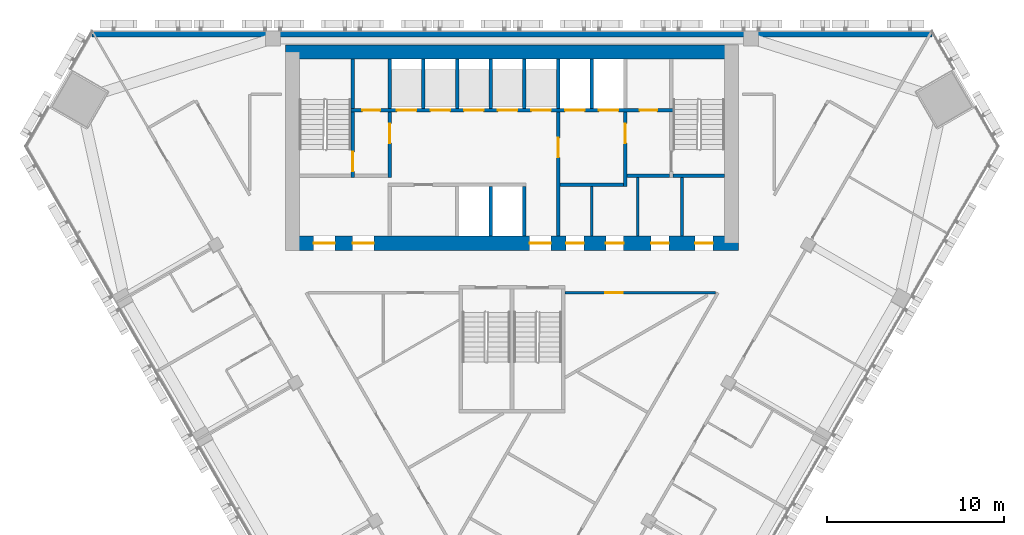
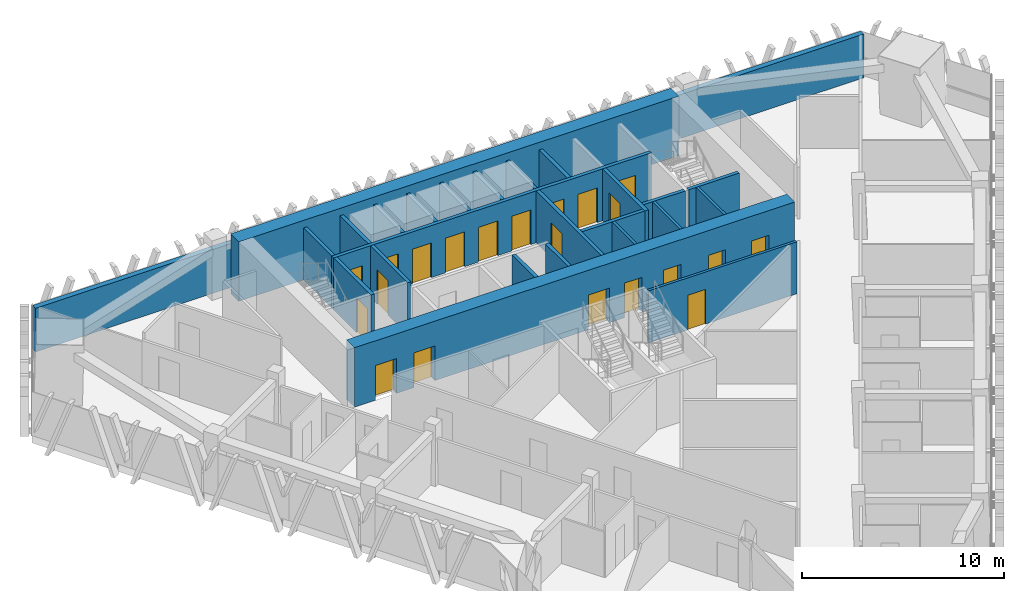
# One storey, part 11 of 15: 25 walls, 21 doors, 21 openings.
"""IFC4 building model written with IfcOpenShell, lengths in metres."""

import ifcopenshell
import ifcopenshell.guid

model = None  # the IFC model being written
_history = None  # IfcOwnerHistory: only IFC2X3 demands one
_inside = {}  # id of a spatial element -> (the spatial element, [elements in it])
_under = {}  # id of a project, library or spatial element -> (it, [spatial elements below it])
_declared = {}  # id of a project -> (the project, [libraries it declares])
_typed = {}  # id of a type object -> (the type object, [elements of that type])
_made_of = {}  # id of a material, layer set ... -> (it, [elements and type objects made of it])


def new_model(schema):
    """Start an empty IFC model of exactly this schema.

    Asked for "IFC4X3", IfcOpenShell would pick the latest addendum, in which some entities
    have other attributes; the version numbers below select the first issue.
    IFC2X3 requires an IfcOwnerHistory on every rooted entity: one is made here for all.
    """
    global model, _history
    if schema == "IFC4X3":
        model = ifcopenshell.file(schema_version=(4, 3, 0, 0))
    else:
        model = ifcopenshell.file(schema=schema)
    _inside.clear()
    _under.clear()
    _declared.clear()
    _typed.clear()
    _made_of.clear()
    _history = None
    if model.schema == "IFC2X3":
        org = make("IfcOrganization", Name="unknown")
        user = make(
            "IfcPersonAndOrganization",
            ThePerson=make("IfcPerson", FamilyName="unknown"),
            TheOrganization=org,
        )
        app = make(
            "IfcApplication",
            ApplicationDeveloper=org,
            Version="unknown",
            ApplicationFullName="unknown",
            ApplicationIdentifier="unknown",
        )
        _history = make(
            "IfcOwnerHistory",
            OwningUser=user,
            OwningApplication=app,
            ChangeAction="ADDED",
            CreationDate=0,
        )
    return model


def make(cls, **values):
    """One entity of the class cls with the attributes given. An attribute that is None is left unset."""
    return model.create_entity(
        cls, **{name: value for name, value in values.items() if value is not None}
    )


def rooted(cls, **values):
    """An entity with a GlobalId (a new one), such as an element, a storey or a relation."""
    return make(cls, GlobalId=ifcopenshell.guid.new(), OwnerHistory=_history, **values)


def si_unit(unit_type, name, prefix=None):
    """IfcSIUnit, for example si_unit("LENGTHUNIT", "METRE", prefix="MILLI")."""
    return make("IfcSIUnit", UnitType=unit_type, Prefix=prefix, Name=name)


def assignment(units):
    """IfcUnitAssignment: the units of a project."""
    return None if units is None else make("IfcUnitAssignment", Units=units)


def point(xyz):
    """IfcCartesianPoint."""
    return None if xyz is None else make("IfcCartesianPoint", Coordinates=xyz)


def direction(xyz):
    """IfcDirection."""
    return None if xyz is None else make("IfcDirection", DirectionRatios=xyz)


def frame(location, z_axis=None, x_axis=None):
    """IfcAxis2Placement3D, a coordinate frame: its origin and axes. An axis left out is left unset."""
    return make(
        "IfcAxis2Placement3D",
        Location=point(location),
        Axis=direction(z_axis),
        RefDirection=direction(x_axis),
    )


def frame_2d(location, x_axis=None):
    """IfcAxis2Placement2D, a coordinate frame in the plane: its origin and x axis."""
    return make(
        "IfcAxis2Placement2D", Location=point(location), RefDirection=direction(x_axis)
    )


def origin():
    """The frame at (0, 0, 0) with its axes left unset."""
    return frame((0.0, 0.0, 0.0))


def place(relative_to, where):
    """IfcLocalPlacement: puts the frame where relative to a parent placement (None: the world)."""
    return make(
        "IfcLocalPlacement", PlacementRelTo=relative_to, RelativePlacement=where
    )


def context(
    kind, dimensions, precision=None, world=None, true_north=None, identifier=None
):
    """IfcGeometricRepresentationContext, for example the 3D "Model" context."""
    return make(
        "IfcGeometricRepresentationContext",
        ContextIdentifier=identifier,
        ContextType=kind,
        CoordinateSpaceDimension=dimensions,
        Precision=precision,
        WorldCoordinateSystem=world,
        TrueNorth=true_north,
    )


def subcontext(parent, identifier, kind, view, scale=None):
    """IfcGeometricRepresentationSubContext, for example "Body" below "Model"."""
    return make(
        "IfcGeometricRepresentationSubContext",
        ContextIdentifier=identifier,
        ContextType=kind,
        ParentContext=parent,
        TargetScale=scale,
        TargetView=view,
    )


def project(units=None, contexts=None):
    """IfcProject with its units and contexts."""
    return rooted(
        "IfcProject",
        Name="project",
        RepresentationContexts=contexts,
        UnitsInContext=assignment(units),
    )


def spatial(cls, under=None, at=None, **own):
    """A site, building, storey or space (cls), placed at a placement, below another one or the project."""
    s = rooted(cls, ObjectPlacement=at, **own)
    if under is not None:
        _under.setdefault(under.id(), (under, []))[1].append(s)
    return s


def profile(cls, at=None, kind="AREA", **sizes):
    """A parametric profile (cls). Its sizes go by their IFC names, for example OverallWidth=200.0."""
    return make(cls, ProfileType=kind, Position=at, **sizes)


def rectangle(**sizes):
    """IfcRectangleProfileDef."""
    return profile("IfcRectangleProfileDef", **sizes)


def extrude(swept, where, along, depth):
    """IfcExtrudedAreaSolid: the profile swept, set in the frame where, extruded along a direction by depth."""
    return make(
        "IfcExtrudedAreaSolid",
        SweptArea=swept,
        Position=where,
        ExtrudedDirection=direction(along),
        Depth=depth,
    )


def shape(context_of_items, identifier, shape_type, items):
    """IfcShapeRepresentation: the items that make up one representation, for example the "Body"."""
    return make(
        "IfcShapeRepresentation",
        ContextOfItems=context_of_items,
        RepresentationIdentifier=identifier,
        RepresentationType=shape_type,
        Items=items,
    )


def material(Name=None, Category=None):
    """IfcMaterial."""
    return make("IfcMaterial", Name=Name, Category=Category)


def layer(
    of_material, thickness, ventilated=None, Name=None, Category=None, Priority=None
):
    """IfcMaterialLayer: one layer of a wall or slab, of a material (None: an air gap)."""
    return make(
        "IfcMaterialLayer",
        Material=of_material,
        LayerThickness=thickness,
        IsVentilated=ventilated,
        Name=Name,
        Category=Category,
        Priority=Priority,
    )


def layer_set(layers, Name=None):
    """IfcMaterialLayerSet."""
    return make("IfcMaterialLayerSet", MaterialLayers=layers, LayerSetName=Name)


def made_of(thing, what):
    """Note that an element or type object is made of a material, layer set ...; save() writes the relation."""
    if what is not None:
        _made_of.setdefault(what.id(), (what, []))[1].append(thing)
    return thing


def type_object(cls, material=None, **own):
    """A type object (cls), such as IfcWallType, which elements share."""
    return made_of(rooted(cls, **own), material)


def element(
    cls,
    number,
    at=None,
    inside=None,
    cuts=None,
    type_object=None,
    material=None,
    context=None,
    identifier="Body",
    shape_type=None,
    held_by="IfcProductDefinitionShape",
    body=None,
    shapes=None,
    **own,
):
    """One element of the class cls, such as IfcWall. Its Tag is "e" and its number.

    at: its placement. inside: the storey or other place that contains it. cuts: it is an
    opening in that element (IfcRelVoidsElement). A single representation is given by context,
    identifier, shape_type and body (its items); several are given by shapes. held_by: the class
    of the entity that holds the representations. save() writes the other relations.
    """
    e = rooted(cls, Tag="e%d" % number, ObjectPlacement=at, **own)
    if body is not None:
        shapes = [shape(context, identifier, shape_type, body)]
    if shapes is not None:
        e.Representation = make(held_by, Representations=shapes)
    if inside is not None:
        _inside.setdefault(inside.id(), (inside, []))[1].append(e)
    if cuts is not None:
        rooted(
            "IfcRelVoidsElement", RelatingBuildingElement=cuts, RelatedOpeningElement=e
        )
    if type_object is not None:
        _typed.setdefault(type_object.id(), (type_object, []))[1].append(e)
    return made_of(e, material)


def fill(opening, filler):
    """IfcRelFillsElement: the door or window that sits in an opening."""
    return rooted(
        "IfcRelFillsElement",
        RelatingOpeningElement=opening,
        RelatedBuildingElement=filler,
    )


def aggregate(whole, parts):
    """IfcRelAggregates: a whole, such as a stair, and the parts it consists of."""
    return rooted("IfcRelAggregates", RelatingObject=whole, RelatedObjects=parts)


def save(model, path):
    """Write the relations noted so far, then the file.

    IfcRelAggregates (storeys below a building ...), IfcRelContainedInSpatialStructure (elements
    in a storey), IfcRelDefinesByType, IfcRelAssociatesMaterial and IfcRelDeclares: one each for
    every whole, place, type object, material and project.
    """
    for whole, parts in _under.values():
        aggregate(whole, parts)
    for where, things in _inside.values():
        rooted(
            "IfcRelContainedInSpatialStructure",
            RelatedElements=things,
            RelatingStructure=where,
        )
    for kind, things in _typed.values():
        rooted("IfcRelDefinesByType", RelatedObjects=things, RelatingType=kind)
    for what, things in _made_of.values():
        rooted("IfcRelAssociatesMaterial", RelatedObjects=things, RelatingMaterial=what)
    for by, libraries in _declared.values():
        rooted("IfcRelDeclares", RelatingContext=by, RelatedDefinitions=libraries)
    model.write(path)


model = new_model("IFC4")

# Units and contexts
model_context = context("Model", 3, precision=1e-05, world=origin(), true_north=direction((0.0, 1.0)))
body_context = subcontext(model_context, "Body", "Model", "MODEL_VIEW")
ifc_project = project(units=[si_unit("LENGTHUNIT", "METRE"), si_unit("AREAUNIT", "SQUARE_METRE"), si_unit("VOLUMEUNIT", "CUBIC_METRE"), si_unit("PLANEANGLEUNIT", "RADIAN"), si_unit("MASSUNIT", "GRAM", prefix="KILO")], contexts=[model_context])

# Site, building, storey
site_placement = place(None, origin())
site = spatial("IfcSite", under=ifc_project, at=site_placement, CompositionType="ELEMENT")
building_placement = place(site_placement, origin())
building = spatial("IfcBuilding", under=site, at=building_placement, Name="Altiplano Prism Tower", CompositionType="ELEMENT")
storey_placement = place(building_placement, frame((0.0, 0.0, 142.199951171875)))
storey = spatial("IfcBuildingStorey", under=building, at=storey_placement, Name="L36", CompositionType="ELEMENT", Elevation=142.199951171875)

# Wall, openings, doors
ifc_material_1 = material(Name="Concrete C60/75", Category="concrete")
ifc_layer_1 = layer(ifc_material_1, 0.800048828125)
ifc_layer_set_1 = layer_set([ifc_layer_1], Name="Concrete C60/75")
wall_type_1 = type_object("IfcWallType", Name="Core wall 800", PredefinedType="SHEAR", material=ifc_layer_set_1)
wall_1_placement = place(storey_placement, frame((72.60009765625, 93.0, 0.0), z_axis=(0.0, 0.0, 1.0), x_axis=(1.0, 0.0, 0.0)))
wall_1 = element("IfcWall", 1, at=wall_1_placement, inside=storey, type_object=wall_type_1, Name="Core wall S L36", PredefinedType="SHEAR", context=body_context, shape_type="SweptSolid", body=[
    extrude(rectangle(XDim=25.199951171875, YDim=0.800048828125, at=frame_2d((12.60009765625, 0.0))), origin(), (0.0, 0.0, 1.0), 3.60009765625),
])
opening_1_placement = place(wall_1_placement, frame((1.199951171875, 0.0, 0.0)))
opening_1 = element("IfcOpeningElement", 2, at=opening_1_placement, cuts=wall_1, Name="Opening D3072", PredefinedType="OPENING", context=body_context, shape_type="SweptSolid", body=[
    extrude(rectangle(XDim=1.199951171875, YDim=2.10009765625, at=frame_2d((0.60009765625, 1.050048828125))), frame((0.0, 0.41064453125, 0.0), z_axis=(0.0, -1.0, 0.0), x_axis=(1.0, 0.0, 0.0)), (0.0, 0.0, 1.0), 0.821044921875),
])
opening_2_placement = place(wall_1_placement, frame((3.39990234375, 0.0, 0.0)))
opening_2 = element("IfcOpeningElement", 3, at=opening_2_placement, cuts=wall_1, Name="Opening D3073", PredefinedType="OPENING", context=body_context, shape_type="SweptSolid", body=[
    extrude(rectangle(XDim=1.199951171875, YDim=2.10009765625, at=frame_2d((0.60009765625, 1.050048828125))), frame((0.0, 0.41064453125, 0.0), z_axis=(0.0, -1.0, 0.0), x_axis=(1.0, 0.0, 0.0)), (0.0, 0.0, 1.0), 0.821044921875),
])
opening_3_placement = place(wall_1_placement, frame((13.39990234375, 0.0, 0.0)))
opening_3 = element("IfcOpeningElement", 4, at=opening_3_placement, cuts=wall_1, Name="Opening D3074", PredefinedType="OPENING", context=body_context, shape_type="SweptSolid", body=[
    extrude(rectangle(XDim=1.199951171875, YDim=2.10009765625, at=frame_2d((0.60009765625, 1.050048828125))), frame((0.0, 0.41064453125, 0.0), z_axis=(0.0, -1.0, 0.0), x_axis=(1.0, 0.0, 0.0)), (0.0, 0.0, 1.0), 0.821044921875),
])
opening_4_placement = place(wall_1_placement, frame((15.46240234375, 0.0, 0.0)))
opening_4 = element("IfcOpeningElement", 5, at=opening_4_placement, cuts=wall_1, Name="Opening D3077", PredefinedType="OPENING", context=body_context, shape_type="SweptSolid", body=[
    extrude(rectangle(XDim=1.0, YDim=2.10009765625, at=frame_2d((0.5, 1.050048828125))), frame((0.0, 0.41064453125, 0.0), z_axis=(0.0, -1.0, 0.0), x_axis=(1.0, 0.0, 0.0)), (0.0, 0.0, 1.0), 0.821044921875),
])
opening_5_placement = place(wall_1_placement, frame((17.699951171875, 0.0, 0.0)))
opening_5 = element("IfcOpeningElement", 6, at=opening_5_placement, cuts=wall_1, Name="Opening D3078", PredefinedType="OPENING", context=body_context, shape_type="SweptSolid", body=[
    extrude(rectangle(XDim=1.0, YDim=2.10009765625, at=frame_2d((0.5, 1.050048828125))), frame((0.0, 0.41064453125, 0.0), z_axis=(0.0, -1.0, 0.0), x_axis=(1.0, 0.0, 0.0)), (0.0, 0.0, 1.0), 0.821044921875),
])
opening_6_placement = place(wall_1_placement, frame((20.25, 0.0, 0.0)))
opening_6 = element("IfcOpeningElement", 7, at=opening_6_placement, cuts=wall_1, Name="Opening D3079", PredefinedType="OPENING", context=body_context, shape_type="SweptSolid", body=[
    extrude(rectangle(XDim=1.0, YDim=2.10009765625, at=frame_2d((0.5, 1.050048828125))), frame((0.0, 0.41064453125, 0.0), z_axis=(0.0, -1.0, 0.0), x_axis=(1.0, 0.0, 0.0)), (0.0, 0.0, 1.0), 0.821044921875),
])
opening_7_placement = place(wall_1_placement, frame((22.737548828125, 0.0, 0.0)))
opening_7 = element("IfcOpeningElement", 8, at=opening_7_placement, cuts=wall_1, Name="Opening D3080", PredefinedType="OPENING", context=body_context, shape_type="SweptSolid", body=[
    extrude(rectangle(XDim=1.0, YDim=2.10009765625, at=frame_2d((0.5, 1.050048828125))), frame((0.0, 0.41064453125, 0.0), z_axis=(0.0, -1.0, 0.0), x_axis=(1.0, 0.0, 0.0)), (0.0, 0.0, 1.0), 0.821044921875),
])
ifc_material_2 = material(Name="Fire-rated steel door", Category="steel")
door_type_1 = type_object("IfcDoorType", Name="Core room door 1000 x 2100", OperationType="NOTDEFINED", PredefinedType="NOTDEFINED", material=ifc_material_2)
door_1_placement = place(opening_4_placement, origin())
door_1 = element("IfcDoor", 9, at=door_1_placement, inside=storey, type_object=door_type_1, Name="Core room door D3077", OperationType="SINGLE_SWING_RIGHT", OverallHeight=2.10009765625, OverallWidth=1.0, PredefinedType="NOTDEFINED", context=body_context, shape_type="SweptSolid", body=[
    extrude(rectangle(XDim=1.0, YDim=2.10009765625, at=frame_2d((0.5, 1.050048828125))), frame((0.0, 0.02490234375, 0.0), z_axis=(0.0, -1.0, 0.0), x_axis=(1.0, 0.0, 0.0)), (0.0, 0.0, 1.0), 0.050048828125),
])
fill(opening_4, door_1)
door_2_placement = place(opening_5_placement, origin())
door_2 = element("IfcDoor", 10, at=door_2_placement, inside=storey, type_object=door_type_1, Name="Core room door D3078", OperationType="SINGLE_SWING_LEFT", OverallHeight=2.10009765625, OverallWidth=1.0, PredefinedType="NOTDEFINED", context=body_context, shape_type="SweptSolid", body=[
    extrude(rectangle(XDim=1.0, YDim=2.10009765625, at=frame_2d((0.5, 1.050048828125))), frame((0.0, 0.02490234375, 0.0), z_axis=(0.0, -1.0, 0.0), x_axis=(1.0, 0.0, 0.0)), (0.0, 0.0, 1.0), 0.050048828125),
])
fill(opening_5, door_2)
door_3_placement = place(opening_6_placement, origin())
door_3 = element("IfcDoor", 11, at=door_3_placement, inside=storey, type_object=door_type_1, Name="Core room door D3079", OperationType="SINGLE_SWING_RIGHT", OverallHeight=2.10009765625, OverallWidth=1.0, PredefinedType="NOTDEFINED", context=body_context, shape_type="SweptSolid", body=[
    extrude(rectangle(XDim=1.0, YDim=2.10009765625, at=frame_2d((0.5, 1.050048828125))), frame((0.0, 0.02490234375, 0.0), z_axis=(0.0, -1.0, 0.0), x_axis=(1.0, 0.0, 0.0)), (0.0, 0.0, 1.0), 0.050048828125),
])
fill(opening_6, door_3)
door_4_placement = place(opening_7_placement, origin())
door_4 = element("IfcDoor", 12, at=door_4_placement, inside=storey, type_object=door_type_1, Name="Core room door D3080", OperationType="SINGLE_SWING_LEFT", OverallHeight=2.10009765625, OverallWidth=1.0, PredefinedType="NOTDEFINED", context=body_context, shape_type="SweptSolid", body=[
    extrude(rectangle(XDim=1.0, YDim=2.10009765625, at=frame_2d((0.5, 1.050048828125))), frame((0.0, 0.02490234375, 0.0), z_axis=(0.0, -1.0, 0.0), x_axis=(1.0, 0.0, 0.0)), (0.0, 0.0, 1.0), 0.050048828125),
])
fill(opening_7, door_4)
door_type_2 = type_object("IfcDoorType", Name="Lobby fire door 1200 x 2100", OperationType="NOTDEFINED", PredefinedType="NOTDEFINED", material=ifc_material_2)
door_5_placement = place(opening_1_placement, origin())
door_5 = element("IfcDoor", 13, at=door_5_placement, inside=storey, type_object=door_type_2, Name="Lobby fire door D3072", OperationType="SINGLE_SWING_RIGHT", OverallHeight=2.10009765625, OverallWidth=1.199951171875, PredefinedType="NOTDEFINED", context=body_context, shape_type="SweptSolid", body=[
    extrude(rectangle(XDim=1.199951171875, YDim=2.10009765625, at=frame_2d((0.60009765625, 1.050048828125))), frame((0.0, 0.02490234375, 0.0), z_axis=(0.0, -1.0, 0.0), x_axis=(1.0, 0.0, 0.0)), (0.0, 0.0, 1.0), 0.050048828125),
])
fill(opening_1, door_5)
door_6_placement = place(opening_2_placement, origin())
door_6 = element("IfcDoor", 14, at=door_6_placement, inside=storey, type_object=door_type_2, Name="Lobby fire door D3073", OperationType="SINGLE_SWING_LEFT", OverallHeight=2.10009765625, OverallWidth=1.199951171875, PredefinedType="NOTDEFINED", context=body_context, shape_type="SweptSolid", body=[
    extrude(rectangle(XDim=1.199951171875, YDim=2.10009765625, at=frame_2d((0.60009765625, 1.050048828125))), frame((0.0, 0.02490234375, 0.0), z_axis=(0.0, -1.0, 0.0), x_axis=(1.0, 0.0, 0.0)), (0.0, 0.0, 1.0), 0.050048828125),
])
fill(opening_2, door_6)
door_7_placement = place(opening_3_placement, origin())
door_7 = element("IfcDoor", 15, at=door_7_placement, inside=storey, type_object=door_type_2, Name="Lobby fire door D3074", OperationType="SINGLE_SWING_RIGHT", OverallHeight=2.10009765625, OverallWidth=1.199951171875, PredefinedType="NOTDEFINED", context=body_context, shape_type="SweptSolid", body=[
    extrude(rectangle(XDim=1.199951171875, YDim=2.10009765625, at=frame_2d((0.60009765625, 1.050048828125))), frame((0.0, 0.02490234375, 0.0), z_axis=(0.0, -1.0, 0.0), x_axis=(1.0, 0.0, 0.0)), (0.0, 0.0, 1.0), 0.050048828125),
])
fill(opening_3, door_7)

# Wall
wall_2_placement = place(storey_placement, frame((97.39990234375, 103.800048828125, 0.0), z_axis=(0.0, 0.0, 1.0), x_axis=(-1.0, 0.0, 0.0)))
element("IfcWall", 16, at=wall_2_placement, inside=storey, type_object=wall_type_1, Name="Core wall N L36", PredefinedType="SHEAR", context=body_context, shape_type="SweptSolid", body=[
    extrude(rectangle(XDim=25.199951171875, YDim=0.800048828125, at=frame_2d((12.60009765625, 0.0))), origin(), (0.0, 0.0, 1.0), 3.60009765625),
])

# Wall, opening, door
ifc_material_3 = material(Name="Plasterboard on steel stud", Category="steel")
ifc_layer_2 = layer(ifc_material_3, 0.14990234375)
ifc_layer_set_2 = layer_set([ifc_layer_2], Name="Plasterboard on steel stud")
wall_type_2 = type_object("IfcWallType", Name="Partition 150 corridor", PredefinedType="PARTITIONING", material=ifc_layer_set_2)
wall_3_placement = place(storey_placement, frame((88.0, 90.198974609375, 0.0), z_axis=(0.0, 0.0, 1.0), x_axis=(1.0, 0.0, 0.0)))
wall_3 = element("IfcWall", 17, at=wall_3_placement, inside=storey, type_object=wall_type_2, Name="Partition P06 L36 003", PredefinedType="PARTITIONING", context=body_context, shape_type="SweptSolid", body=[
    extrude(rectangle(XDim=8.4921875, YDim=0.14990234375, at=frame_2d((4.24609375, 0.0))), origin(), (0.0, 0.0, 1.0), 3.150146484375),
])
opening_8_placement = place(wall_3_placement, frame((2.261962890625, 0.0, 0.0)))
opening_8 = element("IfcOpeningElement", 18, at=opening_8_placement, cuts=wall_3, Name="Opening D1299", PredefinedType="OPENING", context=body_context, shape_type="SweptSolid", body=[
    extrude(rectangle(XDim=1.0, YDim=2.10009765625, at=frame_2d((0.5, 1.050048828125))), frame((0.0, 0.08544921875, 0.0), z_axis=(0.0, -1.0, 0.0), x_axis=(1.0, 0.0, 0.0)), (0.0, 0.0, 1.0), 0.1708984375),
])
ifc_material_4 = material(Name="Timber", Category="wood")
door_type_3 = type_object("IfcDoorType", Name="Store door 1000 x 2100", OperationType="NOTDEFINED", PredefinedType="NOTDEFINED", material=ifc_material_4)
door_8_placement = place(opening_8_placement, origin())
door_8 = element("IfcDoor", 19, at=door_8_placement, inside=storey, type_object=door_type_3, Name="Door D1299", OperationType="SINGLE_SWING_LEFT", OverallHeight=2.10009765625, OverallWidth=1.0, PredefinedType="NOTDEFINED", context=body_context, shape_type="SweptSolid", body=[
    extrude(rectangle(XDim=1.0, YDim=2.10009765625, at=frame_2d((0.5, 1.050048828125))), frame((0.0, 0.02490234375, 0.0), z_axis=(0.0, -1.0, 0.0), x_axis=(1.0, 0.0, 0.0)), (0.0, 0.0, 1.0), 0.050048828125),
])
fill(opening_8, door_8)

# Walls
ifc_material_5 = material(Name="Fire-rated gypsum board partition")
ifc_layer_3 = layer(ifc_material_5, 0.14990234375)
ifc_layer_set_3 = layer_set([ifc_layer_3], Name="Fire-rated gypsum board partition")
wall_type_3 = type_object("IfcWallType", Name="Room partition 150", PredefinedType="PARTITIONING", material=ifc_layer_set_3)
wall_4_placement = place(storey_placement, frame((89.5, 93.39990234375, 0.0), z_axis=(0.0, 0.0, 1.0), x_axis=(0.0, 1.0, 0.0)))
element("IfcWall", 20, at=wall_4_placement, inside=storey, type_object=wall_type_3, Name="Room partition L36", PredefinedType="PARTITIONING", context=body_context, shape_type="SweptSolid", body=[
    extrude(rectangle(XDim=2.800048828125, YDim=0.14990234375, at=frame_2d((1.39990234375, 0.0))), origin(), (0.0, 0.0, 1.0), 3.150146484375),
])
for number, where, z_axis, x_axis, name in (
    (21, (92.10009765625, 93.39990234375, 0.0), (0.0, 0.0, 1.0), (0.0, 1.0, 0.0), "Room partition L36"),
    (22, (94.60009765625, 93.39990234375, 0.0), (0.0, 0.0, 1.0), (0.0, 1.0, 0.0), "Room partition L36"),
):
    element("IfcWall", number, at=place(storey_placement, frame(where, z_axis=z_axis, x_axis=x_axis)), inside=storey, type_object=wall_type_3, Name=name, PredefinedType="PARTITIONING", context=body_context, shape_type="SweptSolid", body=[
        extrude(rectangle(XDim=3.300048828125, YDim=0.14990234375, at=frame_2d((1.64990234375, 0.0))), origin(), (0.0, 0.0, 1.0), 3.150146484375),
    ])
ifc_layer_4 = layer(ifc_material_1, 0.199951171875)
ifc_layer_set_4 = layer_set([ifc_layer_4], Name="Concrete C60/75")
wall_type_4 = type_object("IfcWallType", Name="Shaft wall 200", PredefinedType="SOLIDWALL", material=ifc_layer_set_4)
for number, where, z_axis, x_axis, name in (
    (23, (83.800048828125, 93.39990234375, 0.0), (0.0, 0.0, 1.0), (0.0, 1.0, 0.0), "Shaft wall L36"),
    (24, (85.699951171875, 93.39990234375, 0.0), (0.0, 0.0, 1.0), (0.0, 1.0, 0.0), "Shaft wall L36"),
):
    element("IfcWall", number, at=place(storey_placement, frame(where, z_axis=z_axis, x_axis=x_axis)), inside=storey, type_object=wall_type_4, Name=name, PredefinedType="SOLIDWALL", context=body_context, shape_type="SweptSolid", body=[
        extrude(rectangle(XDim=2.800048828125, YDim=0.199951171875, at=frame_2d((1.39990234375, 0.0))), origin(), (0.0, 0.0, 1.0), 3.150146484375),
    ])
for number, where, z_axis, x_axis, name in (
    (25, (78.10009765625, 100.60009765625, 0.0), (0.0, 0.0, 1.0), (0.0, 1.0, 0.0), "Shaft wall L36"),
    (26, (80.0, 100.60009765625, 0.0), (0.0, 0.0, 1.0), (0.0, 1.0, 0.0), "Shaft wall L36"),
    (27, (81.89990234375, 100.60009765625, 0.0), (0.0, 0.0, 1.0), (0.0, 1.0, 0.0), "Shaft wall L36"),
    (28, (83.800048828125, 100.60009765625, 0.0), (0.0, 0.0, 1.0), (0.0, 1.0, 0.0), "Shaft wall L36"),
    (29, (85.699951171875, 100.60009765625, 0.0), (0.0, 0.0, 1.0), (0.0, 1.0, 0.0), "Shaft wall L36"),
    (30, (87.60009765625, 100.60009765625, 0.0), (0.0, 0.0, 1.0), (0.0, 1.0, 0.0), "Shaft wall L36"),
    (31, (89.5, 100.60009765625, 0.0), (0.0, 0.0, 1.0), (0.0, 1.0, 0.0), "Shaft wall L36"),
):
    element("IfcWall", number, at=place(storey_placement, frame(where, z_axis=z_axis, x_axis=x_axis)), inside=storey, type_object=wall_type_4, Name=name, PredefinedType="SOLIDWALL", context=body_context, shape_type="SweptSolid", body=[
        extrude(rectangle(XDim=2.7998046875, YDim=0.199951171875, at=frame_2d((1.39990234375, 0.0))), origin(), (0.0, 0.0, 1.0), 3.150146484375),
    ])

# Wall, opening, door
ifc_layer_5 = layer(ifc_material_1, 0.199951171875)
ifc_layer_set_5 = layer_set([ifc_layer_5], Name="Concrete C60/75")
wall_type_5 = type_object("IfcWallType", Name="Stair wall 200", PredefinedType="SOLIDWALL", material=ifc_layer_set_5)
wall_5_placement = place(storey_placement, frame((76.0, 96.699951171875, 0.0), z_axis=(0.0, 0.0, 1.0), x_axis=(0.0, 1.0, 0.0)))
wall_5 = element("IfcWall", 32, at=wall_5_placement, inside=storey, type_object=wall_type_5, Name="Stair wall L36", PredefinedType="SOLIDWALL", context=body_context, shape_type="SweptSolid", body=[
    extrude(rectangle(XDim=3.699951171875, YDim=0.199951171875, at=frame_2d((1.85009765625, 0.0))), origin(), (0.0, 0.0, 1.0), 3.150146484375),
])
opening_9_placement = place(wall_5_placement, frame((0.35009765625, 0.0, 0.0)))
opening_9 = element("IfcOpeningElement", 33, at=opening_9_placement, cuts=wall_5, Name="Opening D3067", PredefinedType="OPENING", context=body_context, shape_type="SweptSolid", body=[
    extrude(rectangle(XDim=1.10009765625, YDim=2.10009765625, at=frame_2d((0.550048828125, 1.050048828125))), frame((0.0, 0.1103515625, 0.0), z_axis=(0.0, -1.0, 0.0), x_axis=(1.0, 0.0, 0.0)), (0.0, 0.0, 1.0), 0.220947265625),
])
door_type_4 = type_object("IfcDoorType", Name="Stair fire door 1100 x 2100", OperationType="NOTDEFINED", PredefinedType="NOTDEFINED", material=ifc_material_2)
door_9_placement = place(opening_9_placement, origin())
door_9 = element("IfcDoor", 34, at=door_9_placement, inside=storey, type_object=door_type_4, Name="Stair fire door D3067", OperationType="SINGLE_SWING_RIGHT", OverallHeight=2.10009765625, OverallWidth=1.10009765625, PredefinedType="NOTDEFINED", context=body_context, shape_type="SweptSolid", body=[
    extrude(rectangle(XDim=1.10009765625, YDim=2.10009765625, at=frame_2d((0.550048828125, 1.050048828125))), frame((0.0, 0.02490234375, 0.0), z_axis=(0.0, -1.0, 0.0), x_axis=(1.0, 0.0, 0.0)), (0.0, 0.0, 1.0), 0.050048828125),
])
fill(opening_9, door_9)

# Wall
wall_6_placement = place(storey_placement, frame((94.10009765625, 96.800048828125, 0.0), z_axis=(0.0, 0.0, 1.0), x_axis=(1.0, 0.0, 0.0)))
element("IfcWall", 35, at=wall_6_placement, inside=storey, type_object=wall_type_5, Name="Stair wall L36", PredefinedType="SOLIDWALL", context=body_context, shape_type="SweptSolid", body=[
    extrude(rectangle(XDim=2.89990234375, YDim=0.199951171875, at=frame_2d((1.449951171875, 0.0))), origin(), (0.0, 0.0, 1.0), 3.150146484375),
])

# Wall, openings, doors
wall_7_placement = place(storey_placement, frame((75.89990234375, 100.5, 0.0), z_axis=(0.0, 0.0, 1.0), x_axis=(1.0, 0.0, 0.0)))
wall_7 = element("IfcWall", 36, at=wall_7_placement, inside=storey, type_object=wall_type_5, Name="Stair wall L36", PredefinedType="SOLIDWALL", context=body_context, shape_type="SweptSolid", body=[
    extrude(rectangle(XDim=18.2001953125, YDim=0.199951171875, at=frame_2d((9.10009765625, 0.0))), origin(), (0.0, 0.0, 1.0), 3.150146484375),
])
opening_10_placement = place(wall_7_placement, frame((2.60009765625, 0.0, 0.0)))
opening_10 = element("IfcOpeningElement", 37, at=opening_10_placement, cuts=wall_7, Name="Opening LD-ML1-L36", PredefinedType="OPENING", context=body_context, shape_type="SweptSolid", body=[
    extrude(rectangle(XDim=1.10009765625, YDim=2.10009765625, at=frame_2d((0.550048828125, 1.050048828125))), frame((0.0, 0.1103515625, 0.0), z_axis=(0.0, -1.0, 0.0), x_axis=(1.0, 0.0, 0.0)), (0.0, 0.0, 1.0), 0.220947265625),
])
opening_11_placement = place(wall_7_placement, frame((4.5, 0.0, 0.0)))
opening_11 = element("IfcOpeningElement", 38, at=opening_11_placement, cuts=wall_7, Name="Opening LD-ML2-L36", PredefinedType="OPENING", context=body_context, shape_type="SweptSolid", body=[
    extrude(rectangle(XDim=1.10009765625, YDim=2.10009765625, at=frame_2d((0.550048828125, 1.050048828125))), frame((0.0, 0.1103515625, 0.0), z_axis=(0.0, -1.0, 0.0), x_axis=(1.0, 0.0, 0.0)), (0.0, 0.0, 1.0), 0.220947265625),
])
opening_12_placement = place(wall_7_placement, frame((6.39990234375, 0.0, 0.0)))
opening_12 = element("IfcOpeningElement", 39, at=opening_12_placement, cuts=wall_7, Name="Opening LD-ML3-L36", PredefinedType="OPENING", context=body_context, shape_type="SweptSolid", body=[
    extrude(rectangle(XDim=1.10009765625, YDim=2.10009765625, at=frame_2d((0.550048828125, 1.050048828125))), frame((0.0, 0.1103515625, 0.0), z_axis=(0.0, -1.0, 0.0), x_axis=(1.0, 0.0, 0.0)), (0.0, 0.0, 1.0), 0.220947265625),
])
opening_13_placement = place(wall_7_placement, frame((8.300048828125, 0.0, 0.0)))
opening_13 = element("IfcOpeningElement", 40, at=opening_13_placement, cuts=wall_7, Name="Opening LD-ML4-L36", PredefinedType="OPENING", context=body_context, shape_type="SweptSolid", body=[
    extrude(rectangle(XDim=1.10009765625, YDim=2.10009765625, at=frame_2d((0.550048828125, 1.050048828125))), frame((0.0, 0.1103515625, 0.0), z_axis=(0.0, -1.0, 0.0), x_axis=(1.0, 0.0, 0.0)), (0.0, 0.0, 1.0), 0.220947265625),
])
opening_14_placement = place(wall_7_placement, frame((10.199951171875, 0.0, 0.0)))
opening_14 = element("IfcOpeningElement", 41, at=opening_14_placement, cuts=wall_7, Name="Opening LD-ML5-L36", PredefinedType="OPENING", context=body_context, shape_type="SweptSolid", body=[
    extrude(rectangle(XDim=1.10009765625, YDim=2.10009765625, at=frame_2d((0.550048828125, 1.050048828125))), frame((0.0, 0.1103515625, 0.0), z_axis=(0.0, -1.0, 0.0), x_axis=(1.0, 0.0, 0.0)), (0.0, 0.0, 1.0), 0.220947265625),
])
opening_15_placement = place(wall_7_placement, frame((12.10009765625, 0.0, 0.0)))
opening_15 = element("IfcOpeningElement", 42, at=opening_15_placement, cuts=wall_7, Name="Opening LD-FF1-L36", PredefinedType="OPENING", context=body_context, shape_type="SweptSolid", body=[
    extrude(rectangle(XDim=1.10009765625, YDim=2.10009765625, at=frame_2d((0.550048828125, 1.050048828125))), frame((0.0, 0.1103515625, 0.0), z_axis=(0.0, -1.0, 0.0), x_axis=(1.0, 0.0, 0.0)), (0.0, 0.0, 1.0), 0.220947265625),
])
opening_16_placement = place(wall_7_placement, frame((14.0, 0.0, 0.0)))
opening_16 = element("IfcOpeningElement", 43, at=opening_16_placement, cuts=wall_7, Name="Opening LD-FF2-L36", PredefinedType="OPENING", context=body_context, shape_type="SweptSolid", body=[
    extrude(rectangle(XDim=1.10009765625, YDim=2.10009765625, at=frame_2d((0.550048828125, 1.050048828125))), frame((0.0, 0.1103515625, 0.0), z_axis=(0.0, -1.0, 0.0), x_axis=(1.0, 0.0, 0.0)), (0.0, 0.0, 1.0), 0.220947265625),
])
opening_17_placement = place(wall_7_placement, frame((0.64990234375, 0.0, 0.0)))
opening_17 = element("IfcOpeningElement", 44, at=opening_17_placement, cuts=wall_7, Name="Opening D3075", PredefinedType="OPENING", context=body_context, shape_type="SweptSolid", body=[
    extrude(rectangle(XDim=1.0, YDim=2.10009765625, at=frame_2d((0.5, 1.050048828125))), frame((0.0, 0.1103515625, 0.0), z_axis=(0.0, -1.0, 0.0), x_axis=(1.0, 0.0, 0.0)), (0.0, 0.0, 1.0), 0.220947265625),
])
opening_18_placement = place(wall_7_placement, frame((16.300048828125, 0.0, 0.0)))
opening_18 = element("IfcOpeningElement", 45, at=opening_18_placement, cuts=wall_7, Name="Opening D3076", PredefinedType="OPENING", context=body_context, shape_type="SweptSolid", body=[
    extrude(rectangle(XDim=1.0, YDim=2.10009765625, at=frame_2d((0.5, 1.050048828125))), frame((0.0, 0.1103515625, 0.0), z_axis=(0.0, -1.0, 0.0), x_axis=(1.0, 0.0, 0.0)), (0.0, 0.0, 1.0), 0.220947265625),
])
door_10_placement = place(opening_17_placement, origin())
door_10 = element("IfcDoor", 46, at=door_10_placement, inside=storey, type_object=door_type_1, Name="Core room door D3075", OperationType="SINGLE_SWING_LEFT", OverallHeight=2.10009765625, OverallWidth=1.0, PredefinedType="NOTDEFINED", context=body_context, shape_type="SweptSolid", body=[
    extrude(rectangle(XDim=1.0, YDim=2.10009765625, at=frame_2d((0.5, 1.050048828125))), frame((0.0, 0.02490234375, 0.0), z_axis=(0.0, -1.0, 0.0), x_axis=(1.0, 0.0, 0.0)), (0.0, 0.0, 1.0), 0.050048828125),
])
fill(opening_17, door_10)
door_11_placement = place(opening_18_placement, origin())
door_11 = element("IfcDoor", 47, at=door_11_placement, inside=storey, type_object=door_type_1, Name="Core room door D3076", OperationType="SINGLE_SWING_RIGHT", OverallHeight=2.10009765625, OverallWidth=1.0, PredefinedType="NOTDEFINED", context=body_context, shape_type="SweptSolid", body=[
    extrude(rectangle(XDim=1.0, YDim=2.10009765625, at=frame_2d((0.5, 1.050048828125))), frame((0.0, 0.02490234375, 0.0), z_axis=(0.0, -1.0, 0.0), x_axis=(1.0, 0.0, 0.0)), (0.0, 0.0, 1.0), 0.050048828125),
])
fill(opening_18, door_11)
ifc_material_6 = material(Name="Stainless steel landing door", Category="steel")
door_type_5 = type_object("IfcDoorType", Name="Landing door 1100 x 2100", OperationType="NOTDEFINED", PredefinedType="NOTDEFINED", material=ifc_material_6)
door_12_placement = place(opening_10_placement, origin())
door_12 = element("IfcDoor", 48, at=door_12_placement, inside=storey, type_object=door_type_5, Name="Landing doors ML1", OperationType="SLIDING_TO_RIGHT", OverallHeight=2.10009765625, OverallWidth=1.10009765625, PredefinedType="NOTDEFINED", context=body_context, shape_type="SweptSolid", body=[
    extrude(rectangle(XDim=1.10009765625, YDim=2.10009765625, at=frame_2d((0.550048828125, 1.050048828125))), frame((0.0, 0.02490234375, 0.0), z_axis=(0.0, -1.0, 0.0), x_axis=(1.0, 0.0, 0.0)), (0.0, 0.0, 1.0), 0.050048828125),
])
fill(opening_10, door_12)
door_13_placement = place(opening_11_placement, origin())
door_13 = element("IfcDoor", 49, at=door_13_placement, inside=storey, type_object=door_type_5, Name="Landing doors ML2", OperationType="SLIDING_TO_LEFT", OverallHeight=2.10009765625, OverallWidth=1.10009765625, PredefinedType="NOTDEFINED", context=body_context, shape_type="SweptSolid", body=[
    extrude(rectangle(XDim=1.10009765625, YDim=2.10009765625, at=frame_2d((0.550048828125, 1.050048828125))), frame((0.0, 0.02490234375, 0.0), z_axis=(0.0, -1.0, 0.0), x_axis=(1.0, 0.0, 0.0)), (0.0, 0.0, 1.0), 0.050048828125),
])
fill(opening_11, door_13)
door_14_placement = place(opening_12_placement, origin())
door_14 = element("IfcDoor", 50, at=door_14_placement, inside=storey, type_object=door_type_5, Name="Landing doors ML3", OperationType="SLIDING_TO_RIGHT", OverallHeight=2.10009765625, OverallWidth=1.10009765625, PredefinedType="NOTDEFINED", context=body_context, shape_type="SweptSolid", body=[
    extrude(rectangle(XDim=1.10009765625, YDim=2.10009765625, at=frame_2d((0.550048828125, 1.050048828125))), frame((0.0, 0.02490234375, 0.0), z_axis=(0.0, -1.0, 0.0), x_axis=(1.0, 0.0, 0.0)), (0.0, 0.0, 1.0), 0.050048828125),
])
fill(opening_12, door_14)
door_15_placement = place(opening_13_placement, origin())
door_15 = element("IfcDoor", 51, at=door_15_placement, inside=storey, type_object=door_type_5, Name="Landing doors ML4", OperationType="SLIDING_TO_LEFT", OverallHeight=2.10009765625, OverallWidth=1.10009765625, PredefinedType="NOTDEFINED", context=body_context, shape_type="SweptSolid", body=[
    extrude(rectangle(XDim=1.10009765625, YDim=2.10009765625, at=frame_2d((0.550048828125, 1.050048828125))), frame((0.0, 0.02490234375, 0.0), z_axis=(0.0, -1.0, 0.0), x_axis=(1.0, 0.0, 0.0)), (0.0, 0.0, 1.0), 0.050048828125),
])
fill(opening_13, door_15)
door_16_placement = place(opening_14_placement, origin())
door_16 = element("IfcDoor", 52, at=door_16_placement, inside=storey, type_object=door_type_5, Name="Landing doors ML5", OperationType="SLIDING_TO_RIGHT", OverallHeight=2.10009765625, OverallWidth=1.10009765625, PredefinedType="NOTDEFINED", context=body_context, shape_type="SweptSolid", body=[
    extrude(rectangle(XDim=1.10009765625, YDim=2.10009765625, at=frame_2d((0.550048828125, 1.050048828125))), frame((0.0, 0.02490234375, 0.0), z_axis=(0.0, -1.0, 0.0), x_axis=(1.0, 0.0, 0.0)), (0.0, 0.0, 1.0), 0.050048828125),
])
fill(opening_14, door_16)
door_17_placement = place(opening_15_placement, origin())
door_17 = element("IfcDoor", 53, at=door_17_placement, inside=storey, type_object=door_type_5, Name="Landing doors FF1", OperationType="SLIDING_TO_RIGHT", OverallHeight=2.10009765625, OverallWidth=1.10009765625, PredefinedType="NOTDEFINED", context=body_context, shape_type="SweptSolid", body=[
    extrude(rectangle(XDim=1.10009765625, YDim=2.10009765625, at=frame_2d((0.550048828125, 1.050048828125))), frame((0.0, 0.02490234375, 0.0), z_axis=(0.0, -1.0, 0.0), x_axis=(1.0, 0.0, 0.0)), (0.0, 0.0, 1.0), 0.050048828125),
])
fill(opening_15, door_17)
door_18_placement = place(opening_16_placement, origin())
door_18 = element("IfcDoor", 54, at=door_18_placement, inside=storey, type_object=door_type_5, Name="Landing doors FF2", OperationType="SLIDING_TO_LEFT", OverallHeight=2.10009765625, OverallWidth=1.10009765625, PredefinedType="NOTDEFINED", context=body_context, shape_type="SweptSolid", body=[
    extrude(rectangle(XDim=1.10009765625, YDim=2.10009765625, at=frame_2d((0.550048828125, 1.050048828125))), frame((0.0, 0.02490234375, 0.0), z_axis=(0.0, -1.0, 0.0), x_axis=(1.0, 0.0, 0.0)), (0.0, 0.0, 1.0), 0.050048828125),
])
fill(opening_16, door_18)

# Walls
wall_8_placement = place(storey_placement, frame((76.0, 100.60009765625, 0.0), z_axis=(0.0, 0.0, 1.0), x_axis=(0.0, 1.0, 0.0)))
element("IfcWall", 55, at=wall_8_placement, inside=storey, type_object=wall_type_5, Name="Stair wall L36", PredefinedType="SOLIDWALL", context=body_context, shape_type="SweptSolid", body=[
    extrude(rectangle(XDim=2.7998046875, YDim=0.199951171875, at=frame_2d((1.39990234375, 0.0))), origin(), (0.0, 0.0, 1.0), 3.150146484375),
])
ifc_material_7 = material(Name="Concrete C40", Category="concrete")
ifc_layer_6 = layer(ifc_material_7, 0.300048828125)
ifc_layer_set_6 = layer_set([ifc_layer_6], Name="Concrete C40")
wall_type_6 = type_object("IfcWallType", Name="Stone-clad external wall 300", PredefinedType="SOLIDWALL", material=ifc_layer_set_6)
wall_9_placement = place(storey_placement, frame((61.283203125, 104.7900390625, 0.0), z_axis=(0.0, 0.0, 1.0), x_axis=(1.0, 0.0, 0.0)))
element("IfcWall", 56, at=wall_9_placement, inside=storey, type_object=wall_type_6, Name="External wall north face L36", PredefinedType="SOLIDWALL", context=body_context, shape_type="SweptSolid", body=[
    extrude(rectangle(XDim=47.43359375, YDim=0.300048828125, at=frame_2d((23.716796875, 0.0))), origin(), (0.0, 0.0, 1.0), 2.650146484375),
])

# Wall, opening, door
ifc_layer_7 = layer(ifc_material_1, 0.199951171875)
ifc_layer_set_7 = layer_set([ifc_layer_7], Name="Concrete C60/75")
wall_type_7 = type_object("IfcWallType", Name="Vestibule wall 200", PredefinedType="PARTITIONING", material=ifc_layer_set_7)
wall_10_placement = place(storey_placement, frame((87.60009765625, 93.39990234375, 0.0), z_axis=(0.0, 0.0, 1.0), x_axis=(0.0, 1.0, 0.0)))
wall_10 = element("IfcWall", 57, at=wall_10_placement, inside=storey, type_object=wall_type_7, Name="Vestibule wall L36", PredefinedType="PARTITIONING", context=body_context, shape_type="SweptSolid", body=[
    extrude(rectangle(XDim=7.0, YDim=0.199951171875, at=frame_2d((3.5, 0.0))), origin(), (0.0, 0.0, 1.0), 3.150146484375),
])
opening_19_placement = place(wall_10_placement, frame((4.449951171875, 0.0, 0.0)))
opening_19 = element("IfcOpeningElement", 58, at=opening_19_placement, cuts=wall_10, Name="Opening D3070", PredefinedType="OPENING", context=body_context, shape_type="SweptSolid", body=[
    extrude(rectangle(XDim=1.10009765625, YDim=2.10009765625, at=frame_2d((0.550048828125, 1.050048828125))), frame((0.0, 0.1103515625, 0.0), z_axis=(0.0, -1.0, 0.0), x_axis=(1.0, 0.0, 0.0)), (0.0, 0.0, 1.0), 0.220947265625),
])
door_type_6 = type_object("IfcDoorType", Name="Vestibule fire door 1100 x 2100", OperationType="NOTDEFINED", PredefinedType="NOTDEFINED", material=ifc_material_2)
door_19_placement = place(opening_19_placement, origin())
door_19 = element("IfcDoor", 59, at=door_19_placement, inside=storey, type_object=door_type_6, Name="Vestibule fire door D3070", OperationType="SINGLE_SWING_RIGHT", OverallHeight=2.10009765625, OverallWidth=1.10009765625, PredefinedType="NOTDEFINED", context=body_context, shape_type="SweptSolid", body=[
    extrude(rectangle(XDim=1.10009765625, YDim=2.10009765625, at=frame_2d((0.550048828125, 1.050048828125))), frame((0.0, 0.02490234375, 0.0), z_axis=(0.0, -1.0, 0.0), x_axis=(1.0, 0.0, 0.0)), (0.0, 0.0, 1.0), 0.050048828125),
])
fill(opening_19, door_19)

# Wall
wall_11_placement = place(storey_placement, frame((87.699951171875, 96.300048828125, 0.0), z_axis=(0.0, 0.0, 1.0), x_axis=(1.0, 0.0, 0.0)))
element("IfcWall", 60, at=wall_11_placement, inside=storey, type_object=wall_type_7, Name="Vestibule wall L36", PredefinedType="PARTITIONING", context=body_context, shape_type="SweptSolid", body=[
    extrude(rectangle(XDim=3.60009765625, YDim=0.199951171875, at=frame_2d((1.800048828125, 0.0))), origin(), (0.0, 0.0, 1.0), 3.150146484375),
])

# Wall, opening, door
wall_12_placement = place(storey_placement, frame((91.39990234375, 96.199951171875, 0.0), z_axis=(0.0, 0.0, 1.0), x_axis=(0.0, 1.0, 0.0)))
wall_12 = element("IfcWall", 61, at=wall_12_placement, inside=storey, type_object=wall_type_7, Name="Vestibule wall L36", PredefinedType="PARTITIONING", context=body_context, shape_type="SweptSolid", body=[
    extrude(rectangle(XDim=4.199951171875, YDim=0.199951171875, at=frame_2d((2.10009765625, 0.0))), origin(), (0.0, 0.0, 1.0), 3.150146484375),
])
opening_20_placement = place(wall_12_placement, frame((2.449951171875, 0.0, 0.0)))
opening_20 = element("IfcOpeningElement", 62, at=opening_20_placement, cuts=wall_12, Name="Opening D3071", PredefinedType="OPENING", context=body_context, shape_type="SweptSolid", body=[
    extrude(rectangle(XDim=1.10009765625, YDim=2.10009765625, at=frame_2d((0.550048828125, 1.050048828125))), frame((0.0, 0.1103515625, 0.0), z_axis=(0.0, -1.0, 0.0), x_axis=(1.0, 0.0, 0.0)), (0.0, 0.0, 1.0), 0.220947265625),
])
door_20_placement = place(opening_20_placement, origin())
door_20 = element("IfcDoor", 63, at=door_20_placement, inside=storey, type_object=door_type_6, Name="Vestibule fire door D3071", OperationType="SINGLE_SWING_LEFT", OverallHeight=2.10009765625, OverallWidth=1.10009765625, PredefinedType="NOTDEFINED", context=body_context, shape_type="SweptSolid", body=[
    extrude(rectangle(XDim=1.10009765625, YDim=2.10009765625, at=frame_2d((0.550048828125, 1.050048828125))), frame((0.0, 0.02490234375, 0.0), z_axis=(0.0, -1.0, 0.0), x_axis=(1.0, 0.0, 0.0)), (0.0, 0.0, 1.0), 0.050048828125),
])
fill(opening_20, door_20)

wall_13_placement = place(storey_placement, frame((78.10009765625, 96.699951171875, 0.0), z_axis=(0.0, 0.0, 1.0), x_axis=(0.0, 1.0, 0.0)))
wall_13 = element("IfcWall", 64, at=wall_13_placement, inside=storey, type_object=wall_type_7, Name="Vestibule wall L36", PredefinedType="PARTITIONING", context=body_context, shape_type="SweptSolid", body=[
    extrude(rectangle(XDim=3.699951171875, YDim=0.199951171875, at=frame_2d((1.85009765625, 0.0))), origin(), (0.0, 0.0, 1.0), 3.150146484375),
])
opening_21_placement = place(wall_13_placement, frame((1.949951171875, 0.0, 0.0)))
opening_21 = element("IfcOpeningElement", 65, at=opening_21_placement, cuts=wall_13, Name="Opening D3069", PredefinedType="OPENING", context=body_context, shape_type="SweptSolid", body=[
    extrude(rectangle(XDim=1.10009765625, YDim=2.10009765625, at=frame_2d((0.550048828125, 1.050048828125))), frame((0.0, 0.1103515625, 0.0), z_axis=(0.0, -1.0, 0.0), x_axis=(1.0, 0.0, 0.0)), (0.0, 0.0, 1.0), 0.220947265625),
])
door_21_placement = place(opening_21_placement, origin())
door_21 = element("IfcDoor", 66, at=door_21_placement, inside=storey, type_object=door_type_6, Name="Vestibule fire door D3069", OperationType="SINGLE_SWING_LEFT", OverallHeight=2.10009765625, OverallWidth=1.10009765625, PredefinedType="NOTDEFINED", context=body_context, shape_type="SweptSolid", body=[
    extrude(rectangle(XDim=1.10009765625, YDim=2.10009765625, at=frame_2d((0.550048828125, 1.050048828125))), frame((0.0, 0.02490234375, 0.0), z_axis=(0.0, -1.0, 0.0), x_axis=(1.0, 0.0, 0.0)), (0.0, 0.0, 1.0), 0.050048828125),
])
fill(opening_21, door_21)

# Wall
wall_14_placement = place(storey_placement, frame((91.5, 96.800048828125, 0.0), z_axis=(0.0, 0.0, 1.0), x_axis=(1.0, 0.0, 0.0)))
element("IfcWall", 67, at=wall_14_placement, inside=storey, type_object=wall_type_7, Name="Vestibule wall L36", PredefinedType="PARTITIONING", context=body_context, shape_type="SweptSolid", body=[
    extrude(rectangle(XDim=2.39990234375, YDim=0.199951171875, at=frame_2d((1.199951171875, 0.0))), origin(), (0.0, 0.0, 1.0), 3.150146484375),
])

save(model, "model.ifc")
